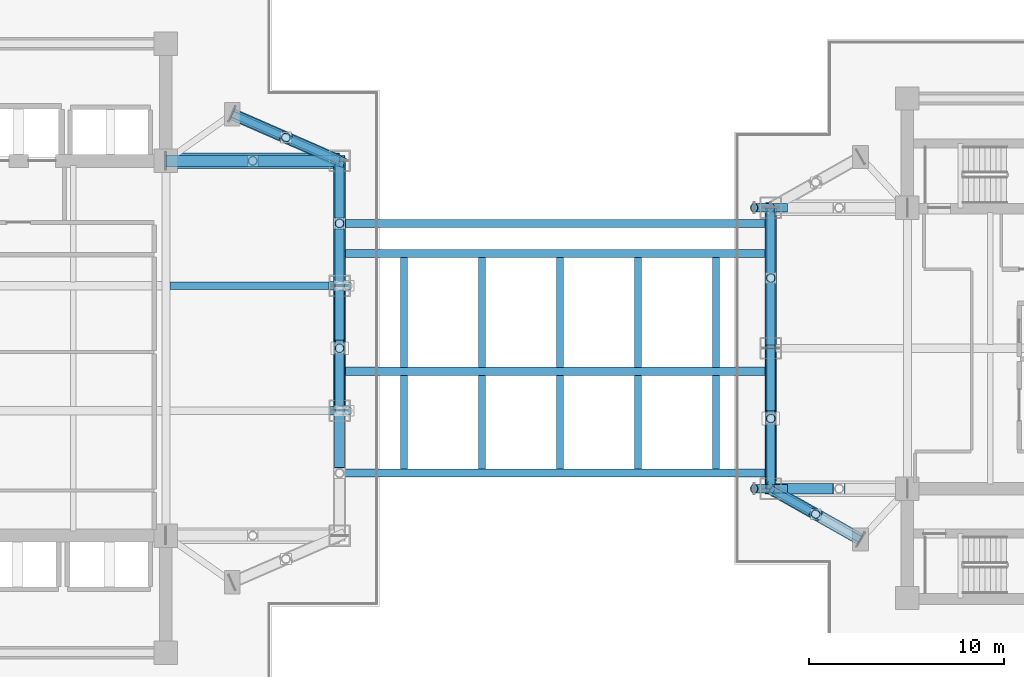
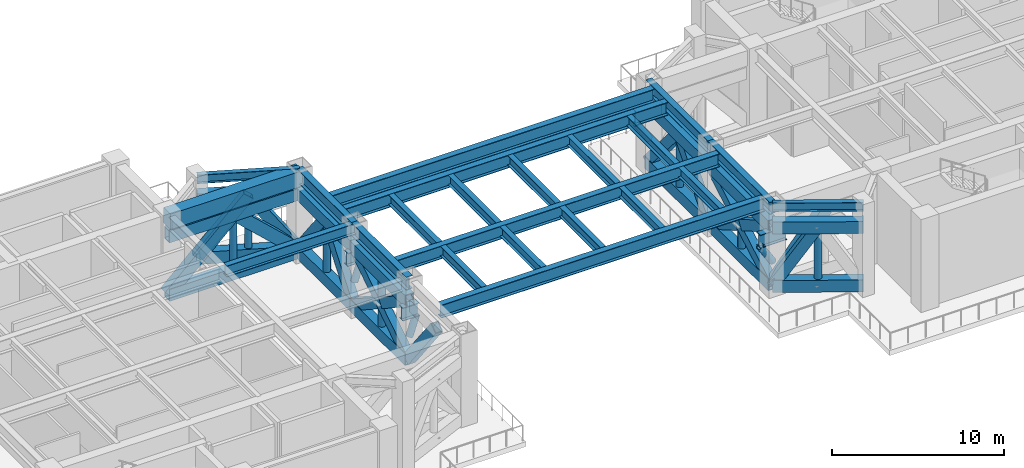
# One storey, part 3 of 21: 42 members, 26 beams.
"""IFC4 building model written with IfcOpenShell, lengths in metres."""

from ifc_helpers import new_model, si_unit, direction, frame, origin, origin_2d, place, context, subcontext, project, spatial, rectangle, hollow_rectangle, hollow_circle, i_section, extrude, material, material_profile, profile_set, type_object, element, save


model = new_model("IFC4")

# Units and contexts
model_context = context("Model", 3, precision=1e-05, world=origin(), true_north=direction((0.0, 1.0)))
body_context = subcontext(model_context, "Body", "Model", "MODEL_VIEW")
ifc_project = project(units=[si_unit("LENGTHUNIT", "METRE"), si_unit("AREAUNIT", "SQUARE_METRE"), si_unit("VOLUMEUNIT", "CUBIC_METRE"), si_unit("PLANEANGLEUNIT", "RADIAN"), si_unit("MASSUNIT", "GRAM", prefix="KILO")], contexts=[model_context])

# Site, building, storey
site_placement = place(None, origin())
site = spatial("IfcSite", under=ifc_project, at=site_placement, CompositionType="ELEMENT")
building_placement = place(site_placement, origin())
building = spatial("IfcBuilding", under=site, at=building_placement, Name="Mirazonda Arch Towers", CompositionType="ELEMENT")
storey_placement = place(building_placement, frame((0.0, 0.0, 81.800048828125)))
storey = spatial("IfcBuildingStorey", under=building, at=storey_placement, Name="L23", CompositionType="ELEMENT", Elevation=81.800048828125)

# Beams
ifc_material_1 = material(Name="Steel ASTM A992 Grade 50", Category="steel")
ifc_material_profile_1 = material_profile(ifc_material_1, i_section(OverallWidth=0.39990234375, OverallDepth=0.85595703125, WebThickness=0.018310546875, FlangeThickness=0.029296875, at=origin_2d()), Name="W33X201")
ifc_profile_set_1 = profile_set([ifc_material_profile_1], Name="Steel ASTM A992 Grade 50")
beam_type_1 = type_object("IfcBeamType", Name="BM-EXT-W33X201", PredefinedType="USERDEFINED", material=ifc_profile_set_1)
for number, where, z_axis, x_axis, name in (
    (1, (61.0, 20.800048828125, 5.951904296875), (0.0, 1.0, 0.0), (-1.0, 0.0, 0.0), "L23 Floor Beam BM-T2-L23-NS-W-20"),
    (2, (61.0, 28.0, 5.951904296875), (0.0, 1.0, 0.0), (-1.0, 0.0, 0.0), "L23 Floor Beam BM-T2-L23-NS-W-28"),
):
    element("IfcBeam", number, at=place(storey_placement, frame(where, z_axis=z_axis, x_axis=x_axis)), inside=storey, type_object=beam_type_1, Name=name, ObjectType="GIRDER", PredefinedType="USERDEFINED", context=body_context, shape_type="SweptSolid", body=[
        extrude(i_section(OverallWidth=0.39990234375, OverallDepth=0.85595703125, WebThickness=0.018310546875, FlangeThickness=0.029296875, at=origin_2d()), origin(), (0.0, 0.0, 1.0), 7.199951171875),
    ])
ifc_material_profile_2 = material_profile(ifc_material_1, i_section(OverallWidth=0.41796875, OverallDepth=0.927001953125, WebThickness=0.019287109375, FlangeThickness=0.031982421875, at=origin_2d()), Name="W36X231")
ifc_profile_set_2 = profile_set([ifc_material_profile_2], Name="Steel ASTM A992 Grade 50")
beam_type_2 = type_object("IfcBeamType", Name="BM-EXT-W36X231", PredefinedType="USERDEFINED", material=ifc_profile_set_2)
beam_1_placement = place(storey_placement, frame((38.89990234375, 24.800048828125, 5.91650390625), z_axis=(0.0, 1.0, 0.0), x_axis=(-1.0, 0.0, 0.0)))
element("IfcBeam", 3, at=beam_1_placement, inside=storey, type_object=beam_type_2, Name="L23 Floor Beam BM-T1-L23-NS-E-24", ObjectType="GIRDER", PredefinedType="USERDEFINED", context=body_context, shape_type="SweptSolid", body=[
    extrude(i_section(OverallWidth=0.41796875, OverallDepth=0.927001953125, WebThickness=0.019287109375, FlangeThickness=0.031982421875, at=origin_2d()), origin(), (0.0, 0.0, 1.0), 6.39990234375),
])
beam_2_placement = place(storey_placement, frame((38.89990234375, 31.199951171875, 5.91650390625), z_axis=(0.0, 1.0, 0.0), x_axis=(-1.0, 0.0, 0.0)))
element("IfcBeam", 4, at=beam_2_placement, inside=storey, type_object=beam_type_2, Name="L23 Floor Beam BM-T1-L23-NS-E-31", ObjectType="GIRDER", PredefinedType="USERDEFINED", context=body_context, shape_type="SweptSolid", body=[
    extrude(i_section(OverallWidth=0.41796875, OverallDepth=0.927001953125, WebThickness=0.019287109375, FlangeThickness=0.031982421875, at=origin_2d()), origin(), (0.0, 0.0, 1.0), 6.400146484375),
])
for number, where, z_axis, x_axis, name in (
    (5, (39.10400390625, 21.60009765625, 5.8564453125), (1.0, 0.0, 0.0), (0.0, 1.0, 0.0), "L24 Skybridge S Longitudinal Box Girder"),
    (6, (39.10400390625, 34.39990234375, 5.8564453125), (1.0, 0.0, 0.0), (0.0, 1.0, 0.0), "L24 Skybridge N Longitudinal Box Girder"),
):
    element("IfcBeam", number, at=place(storey_placement, frame(where, z_axis=z_axis, x_axis=x_axis)), inside=storey, type_object=beam_type_2, Name=name, ObjectType="GIRDER", PredefinedType="USERDEFINED", context=body_context, shape_type="SweptSolid", body=[
        extrude(i_section(OverallWidth=0.41796875, OverallDepth=0.927001953125, WebThickness=0.019287109375, FlangeThickness=0.031982421875, at=origin_2d()), origin(), (0.0, 0.0, 1.0), 21.69189453125),
    ])
ifc_material_profile_3 = material_profile(ifc_material_1, i_section(OverallWidth=0.423095703125, OverallDepth=0.947998046875, WebThickness=0.02392578125, FlangeThickness=0.042724609375, at=origin_2d()), Name="W36X302")
ifc_profile_set_3 = profile_set([ifc_material_profile_3], Name="Steel ASTM A992 Grade 50")
beam_type_3 = type_object("IfcBeamType", Name="BM-EXT-W36X302", PredefinedType="USERDEFINED", material=ifc_profile_set_3)
for number, where, z_axis, x_axis, name in (
    (7, (38.35009765625, 24.800048828125, 3.968994140625), (1.0, 0.0, 0.0), (0.0, 1.0, 0.0), "SB1 Skybridge Corbel Bearing Seat 1 (1100 mm)"),
    (8, (38.35009765625, 31.199951171875, 3.968994140625), (1.0, 0.0, 0.0), (0.0, 1.0, 0.0), "SB1 Skybridge Corbel Bearing Seat 2 (1100 mm)"),
):
    element("IfcBeam", number, at=place(storey_placement, frame(where, z_axis=z_axis, x_axis=x_axis)), inside=storey, type_object=beam_type_3, Name=name, ObjectType="GIRDER", PredefinedType="USERDEFINED", context=body_context, shape_type="SweptSolid", body=[
        extrude(i_section(OverallWidth=0.423095703125, OverallDepth=0.947998046875, WebThickness=0.02392578125, FlangeThickness=0.042724609375, at=origin_2d()), origin(), (0.0, 0.0, 1.0), 1.099853515625),
    ])
for number, where, z_axis, x_axis, name in (
    (9, (60.050048828125, 20.800048828125, 3.968994140625), (1.0, 0.0, 0.0), (0.0, 1.0, 0.0), "SB2 Skybridge Corbel Bearing Seat 3 (1800 mm)"),
    (10, (60.050048828125, 35.199951171875, 3.968994140625), (1.0, 0.0, 0.0), (0.0, 1.0, 0.0), "SB2 Skybridge Corbel Bearing Seat 4 (1800 mm)"),
):
    element("IfcBeam", number, at=place(storey_placement, frame(where, z_axis=z_axis, x_axis=x_axis)), inside=storey, type_object=beam_type_3, Name=name, ObjectType="GIRDER", PredefinedType="USERDEFINED", context=body_context, shape_type="SweptSolid", body=[
        extrude(i_section(OverallWidth=0.423095703125, OverallDepth=0.947998046875, WebThickness=0.02392578125, FlangeThickness=0.042724609375, at=origin_2d()), origin(), (0.0, 0.0, 1.0), 1.800048828125),
    ])
ifc_material_profile_4 = material_profile(ifc_material_1, i_section(OverallWidth=0.324951171875, OverallDepth=0.615966796875, WebThickness=0.013916015625, FlangeThickness=0.021484375, at=origin_2d()), Name="W24X117")
ifc_profile_set_4 = profile_set([ifc_material_profile_4], Name="Steel ASTM A992 Grade 50")
beam_type_4 = type_object("IfcBeamType", Name="BM-INT-W24X117", PredefinedType="BEAM", material=ifc_profile_set_4)
beam_3_placement = place(storey_placement, frame((33.39990234375, 40.0, 6.072021484375), z_axis=(0.916545343703, -0.399930785183, 0.0), x_axis=(0.399930785183, 0.916545343703, 0.0)))
element("IfcBeam", 11, at=beam_3_placement, inside=storey, type_object=beam_type_4, Name="L23 Floor Beam BM-T1-L23-PL-NE2", PredefinedType="BEAM", context=body_context, shape_type="SweptSolid", body=[
    extrude(i_section(OverallWidth=0.324951171875, OverallDepth=0.615966796875, WebThickness=0.013916015625, FlangeThickness=0.021484375, at=origin_2d()), origin(), (0.0, 0.0, 1.0), 6.000732421875),
])
beam_4_placement = place(storey_placement, frame((65.60009765625, 18.199951171875, 6.072021484375), z_axis=(-0.870559396632, 0.492063346467, 0.0), x_axis=(-0.492063346467, -0.870559396632, 0.0)))
element("IfcBeam", 12, at=beam_4_placement, inside=storey, type_object=beam_type_4, Name="L23 Floor Beam BM-T2-L23-PL-SW2", PredefinedType="BEAM", context=body_context, shape_type="SweptSolid", body=[
    extrude(i_section(OverallWidth=0.324951171875, OverallDepth=0.615966796875, WebThickness=0.013916015625, FlangeThickness=0.021484375, at=origin_2d()), origin(), (0.0, 0.0, 1.0), 5.2841796875),
])
ifc_material_profile_5 = material_profile(ifc_material_1, i_section(OverallWidth=0.35498046875, OverallDepth=0.696044921875, WebThickness=0.015380859375, FlangeThickness=0.02490234375, at=origin_2d()), Name="W27X146")
ifc_profile_set_5 = profile_set([ifc_material_profile_5], Name="Steel ASTM A992 Grade 50")
beam_type_5 = type_object("IfcBeamType", Name="BM-INT-W27X146", PredefinedType="BEAM", material=ifc_profile_set_5)
beam_5_placement = place(storey_placement, frame((42.199951171875, 21.803955078125, 5.971923828125), z_axis=(0.0, 1.0, 0.0), x_axis=(-1.0, 0.0, 0.0)))
element("IfcBeam", 13, at=beam_5_placement, inside=storey, type_object=beam_type_5, Name="L23 Floor Beam BM-BRG-L24-XG1A", PredefinedType="BEAM", context=body_context, shape_type="SweptSolid", body=[
    extrude(i_section(OverallWidth=0.35498046875, OverallDepth=0.696044921875, WebThickness=0.015380859375, FlangeThickness=0.02490234375, at=origin_2d()), origin(), (0.0, 0.0, 1.0), 4.81201171875),
])
beam_6_placement = place(storey_placement, frame((42.199951171875, 27.02392578125, 5.971923828125), z_axis=(0.0, 1.0, 0.0), x_axis=(-1.0, 0.0, 0.0)))
element("IfcBeam", 14, at=beam_6_placement, inside=storey, type_object=beam_type_5, Name="L23 Floor Beam BM-BRG-L24-XG1B", PredefinedType="BEAM", context=body_context, shape_type="SweptSolid", body=[
    extrude(i_section(OverallWidth=0.35498046875, OverallDepth=0.696044921875, WebThickness=0.015380859375, FlangeThickness=0.02490234375, at=origin_2d()), origin(), (0.0, 0.0, 1.0), 5.6220703125),
])
beam_7_placement = place(storey_placement, frame((46.199951171875, 21.803955078125, 5.971923828125), z_axis=(0.0, 1.0, 0.0), x_axis=(-1.0, 0.0, 0.0)))
element("IfcBeam", 15, at=beam_7_placement, inside=storey, type_object=beam_type_5, Name="L23 Floor Beam BM-BRG-L24-XG2A", PredefinedType="BEAM", context=body_context, shape_type="SweptSolid", body=[
    extrude(i_section(OverallWidth=0.35498046875, OverallDepth=0.696044921875, WebThickness=0.015380859375, FlangeThickness=0.02490234375, at=origin_2d()), origin(), (0.0, 0.0, 1.0), 4.81201171875),
])
beam_8_placement = place(storey_placement, frame((46.199951171875, 27.02392578125, 5.971923828125), z_axis=(0.0, 1.0, 0.0), x_axis=(-1.0, 0.0, 0.0)))
element("IfcBeam", 16, at=beam_8_placement, inside=storey, type_object=beam_type_5, Name="L23 Floor Beam BM-BRG-L24-XG2B", PredefinedType="BEAM", context=body_context, shape_type="SweptSolid", body=[
    extrude(i_section(OverallWidth=0.35498046875, OverallDepth=0.696044921875, WebThickness=0.015380859375, FlangeThickness=0.02490234375, at=origin_2d()), origin(), (0.0, 0.0, 1.0), 5.6220703125),
])
beam_9_placement = place(storey_placement, frame((50.199951171875, 21.803955078125, 5.971923828125), z_axis=(0.0, 1.0, 0.0), x_axis=(-1.0, 0.0, 0.0)))
element("IfcBeam", 17, at=beam_9_placement, inside=storey, type_object=beam_type_5, Name="L23 Floor Beam BM-BRG-L24-XG3A", PredefinedType="BEAM", context=body_context, shape_type="SweptSolid", body=[
    extrude(i_section(OverallWidth=0.35498046875, OverallDepth=0.696044921875, WebThickness=0.015380859375, FlangeThickness=0.02490234375, at=origin_2d()), origin(), (0.0, 0.0, 1.0), 4.81201171875),
])
beam_10_placement = place(storey_placement, frame((50.199951171875, 27.02392578125, 5.971923828125), z_axis=(0.0, 1.0, 0.0), x_axis=(-1.0, 0.0, 0.0)))
element("IfcBeam", 18, at=beam_10_placement, inside=storey, type_object=beam_type_5, Name="L23 Floor Beam BM-BRG-L24-XG3B", PredefinedType="BEAM", context=body_context, shape_type="SweptSolid", body=[
    extrude(i_section(OverallWidth=0.35498046875, OverallDepth=0.696044921875, WebThickness=0.015380859375, FlangeThickness=0.02490234375, at=origin_2d()), origin(), (0.0, 0.0, 1.0), 5.6220703125),
])
beam_11_placement = place(storey_placement, frame((54.199951171875, 21.803955078125, 5.971923828125), z_axis=(0.0, 1.0, 0.0), x_axis=(-1.0, 0.0, 0.0)))
element("IfcBeam", 19, at=beam_11_placement, inside=storey, type_object=beam_type_5, Name="L23 Floor Beam BM-BRG-L24-XG4A", PredefinedType="BEAM", context=body_context, shape_type="SweptSolid", body=[
    extrude(i_section(OverallWidth=0.35498046875, OverallDepth=0.696044921875, WebThickness=0.015380859375, FlangeThickness=0.02490234375, at=origin_2d()), origin(), (0.0, 0.0, 1.0), 4.81201171875),
])
beam_12_placement = place(storey_placement, frame((54.199951171875, 27.02392578125, 5.971923828125), z_axis=(0.0, 1.0, 0.0), x_axis=(-1.0, 0.0, 0.0)))
element("IfcBeam", 20, at=beam_12_placement, inside=storey, type_object=beam_type_5, Name="L23 Floor Beam BM-BRG-L24-XG4B", PredefinedType="BEAM", context=body_context, shape_type="SweptSolid", body=[
    extrude(i_section(OverallWidth=0.35498046875, OverallDepth=0.696044921875, WebThickness=0.015380859375, FlangeThickness=0.02490234375, at=origin_2d()), origin(), (0.0, 0.0, 1.0), 5.6220703125),
])
beam_13_placement = place(storey_placement, frame((58.199951171875, 21.803955078125, 5.971923828125), z_axis=(0.0, 1.0, 0.0), x_axis=(-1.0, 0.0, 0.0)))
element("IfcBeam", 21, at=beam_13_placement, inside=storey, type_object=beam_type_5, Name="L23 Floor Beam BM-BRG-L24-XG5A", PredefinedType="BEAM", context=body_context, shape_type="SweptSolid", body=[
    extrude(i_section(OverallWidth=0.35498046875, OverallDepth=0.696044921875, WebThickness=0.015380859375, FlangeThickness=0.02490234375, at=origin_2d()), origin(), (0.0, 0.0, 1.0), 4.81201171875),
])
beam_14_placement = place(storey_placement, frame((58.199951171875, 27.02392578125, 5.971923828125), z_axis=(0.0, 1.0, 0.0), x_axis=(-1.0, 0.0, 0.0)))
element("IfcBeam", 22, at=beam_14_placement, inside=storey, type_object=beam_type_5, Name="L23 Floor Beam BM-BRG-L24-XG5B", PredefinedType="BEAM", context=body_context, shape_type="SweptSolid", body=[
    extrude(i_section(OverallWidth=0.35498046875, OverallDepth=0.696044921875, WebThickness=0.015380859375, FlangeThickness=0.02490234375, at=origin_2d()), origin(), (0.0, 0.0, 1.0), 5.6220703125),
])
ifc_material_profile_6 = material_profile(ifc_material_1, i_section(OverallWidth=0.381103515625, OverallDepth=0.77294921875, WebThickness=0.0166015625, FlangeThickness=0.027099609375, at=origin_2d()), Name="W30X173")
ifc_profile_set_6 = profile_set([ifc_material_profile_6], Name="Steel ASTM A992 Grade 50")
beam_type_6 = type_object("IfcBeamType", Name="BM-INT-W30X173", PredefinedType="USERDEFINED", material=ifc_profile_set_6)
beam_15_placement = place(storey_placement, frame((30.21142578125, 31.199951171875, 5.993408203125), z_axis=(1.0, 0.0, 0.0), x_axis=(0.0, 1.0, 0.0)))
element("IfcBeam", 23, at=beam_15_placement, inside=storey, type_object=beam_type_6, Name="L23 Floor Beam BM-T1-L23-GE3", ObjectType="GIRDER", PredefinedType="USERDEFINED", context=body_context, shape_type="SweptSolid", body=[
    extrude(i_section(OverallWidth=0.381103515625, OverallDepth=0.77294921875, WebThickness=0.0166015625, FlangeThickness=0.027099609375, at=origin_2d()), origin(), (0.0, 0.0, 1.0), 8.6884765625),
])
ifc_material_profile_7 = material_profile(ifc_material_1, i_section(OverallWidth=0.41796875, OverallDepth=0.927001953125, WebThickness=0.019287109375, FlangeThickness=0.031982421875, at=origin_2d()), Name="W36X231")
ifc_profile_set_7 = profile_set([ifc_material_profile_7], Name="Steel ASTM A992 Grade 50")
beam_type_7 = type_object("IfcBeamType", Name="BM-INT-W36X231", PredefinedType="USERDEFINED", material=ifc_profile_set_7)
for number, where, z_axis, x_axis, name in (
    (24, (39.10400390625, 26.820068359375, 5.8564453125), (1.0, 0.0, 0.0), (0.0, 1.0, 0.0), "L24 Skybridge IS Interior Truss Girder"),
    (25, (39.10400390625, 32.85009765625, 5.8564453125), (1.0, 0.0, 0.0), (0.0, 1.0, 0.0), "L24 Skybridge IN Interior Truss Girder"),
):
    element("IfcBeam", number, at=place(storey_placement, frame(where, z_axis=z_axis, x_axis=x_axis)), inside=storey, type_object=beam_type_7, Name=name, ObjectType="GIRDER", PredefinedType="USERDEFINED", context=body_context, shape_type="SweptSolid", body=[
        extrude(i_section(OverallWidth=0.41796875, OverallDepth=0.927001953125, WebThickness=0.019287109375, FlangeThickness=0.031982421875, at=origin_2d()), origin(), (0.0, 0.0, 1.0), 21.69189453125),
    ])
ifc_material_2 = material(Name="Concrete C60/75", Category="concrete")
ifc_material_profile_8 = material_profile(ifc_material_2, rectangle(XDim=0.800048828125, YDim=1.10009765625, at=origin_2d()), Name="RCCB800x1100")
ifc_profile_set_8 = profile_set([ifc_material_profile_8], Name="Concrete C60/75")
beam_type_8 = type_object("IfcBeamType", Name="CB-INT-RCCB800x1100", PredefinedType="SPANDREL", material=ifc_profile_set_8)
beam_16_placement = place(storey_placement, frame((30.0, 37.60009765625, 5.829833984375), z_axis=(1.0, 0.0, 0.0), x_axis=(0.0, 1.0, 0.0)))
element("IfcBeam", 26, at=beam_16_placement, inside=storey, type_object=beam_type_8, Name="L23 Floor Beam CB-T1-L23-NE", PredefinedType="SPANDREL", context=body_context, shape_type="SweptSolid", body=[
    extrude(rectangle(XDim=0.800048828125, YDim=1.10009765625, at=origin_2d()), origin(), (0.0, 0.0, 1.0), 8.89990234375),
])

# Members
ifc_material_3 = material(Name="Steel ASTM A572 Grade 50", Category="steel")
ifc_material_profile_9 = material_profile(ifc_material_3, hollow_rectangle(XDim=0.60009765625, YDim=0.85009765625, WallThickness=0.048095703125, at=origin_2d()), Name="BELTCHORD850x600x48")
ifc_profile_set_9 = profile_set([ifc_material_profile_9], Name="Steel ASTM A572 Grade 50")
member_type_1 = type_object("IfcMemberType", Name="MBR-EXT-BELTCHORD850x600x48", PredefinedType="CHORD", material=ifc_profile_set_9)
for number, where, z_axis, x_axis, name in (
    (27, (38.89990234375, 24.800048828125, 0.550048828125), (0.0, 1.0, 0.0), (-1.0, 0.0, 0.0), "L23 T1 Wind-Portal Belt Chord BC05"),
    (28, (38.89990234375, 24.800048828125, 4.699951171875), (0.0, 1.0, 0.0), (-1.0, 0.0, 0.0), "L23 T1 Wind-Portal Belt Chord TC05"),
):
    element("IfcMember", number, at=place(storey_placement, frame(where, z_axis=z_axis, x_axis=x_axis)), inside=storey, type_object=member_type_1, Name=name, PredefinedType="CHORD", context=body_context, shape_type="SweptSolid", body=[
        extrude(hollow_rectangle(XDim=0.60009765625, YDim=0.85009765625, WallThickness=0.048095703125, at=origin_2d()), origin(), (0.0, 0.0, 1.0), 6.39990234375),
    ])
for number, where, z_axis, x_axis, name in (
    (29, (38.89990234375, 31.199951171875, 0.550048828125), (0.0, 1.0, 0.0), (-1.0, 0.0, 0.0), "L23 T1 Wind-Portal Belt Chord BC06"),
    (30, (38.89990234375, 31.199951171875, 4.699951171875), (0.0, 1.0, 0.0), (-1.0, 0.0, 0.0), "L23 T1 Wind-Portal Belt Chord TC06"),
):
    element("IfcMember", number, at=place(storey_placement, frame(where, z_axis=z_axis, x_axis=x_axis)), inside=storey, type_object=member_type_1, Name=name, PredefinedType="CHORD", context=body_context, shape_type="SweptSolid", body=[
        extrude(hollow_rectangle(XDim=0.60009765625, YDim=0.85009765625, WallThickness=0.048095703125, at=origin_2d()), origin(), (0.0, 0.0, 1.0), 6.400146484375),
    ])
for number, where, z_axis, x_axis, name in (
    (31, (33.39990234375, 40.0, 0.550048828125), (0.916545343703, -0.399930785183, 0.0), (0.399930785183, 0.916545343703, 0.0), "L23 T1 Wind-Portal Belt Chord BC10"),
    (32, (33.39990234375, 40.0, 4.699951171875), (0.916545343703, -0.399930785183, 0.0), (0.399930785183, 0.916545343703, 0.0), "L23 T1 Wind-Portal Belt Chord TC10"),
):
    element("IfcMember", number, at=place(storey_placement, frame(where, z_axis=z_axis, x_axis=x_axis)), inside=storey, type_object=member_type_1, Name=name, PredefinedType="CHORD", context=body_context, shape_type="SweptSolid", body=[
        extrude(hollow_rectangle(XDim=0.60009765625, YDim=0.85009765625, WallThickness=0.048095703125, at=origin_2d()), origin(), (0.0, 0.0, 1.0), 6.000732421875),
    ])
for number, where, z_axis, x_axis, name in (
    (33, (61.0, 20.800048828125, 0.550048828125), (0.0, 1.0, 0.0), (-1.0, 0.0, 0.0), "L23 T2 Wind-Portal Belt Chord BC01"),
    (34, (61.0, 20.800048828125, 4.699951171875), (0.0, 1.0, 0.0), (-1.0, 0.0, 0.0), "L23 T2 Wind-Portal Belt Chord TC01"),
    (35, (61.0, 28.0, 0.550048828125), (0.0, 1.0, 0.0), (-1.0, 0.0, 0.0), "L23 T2 Wind-Portal Belt Chord BC02"),
    (36, (61.0, 28.0, 4.699951171875), (0.0, 1.0, 0.0), (-1.0, 0.0, 0.0), "L23 T2 Wind-Portal Belt Chord TC02"),
):
    element("IfcMember", number, at=place(storey_placement, frame(where, z_axis=z_axis, x_axis=x_axis)), inside=storey, type_object=member_type_1, Name=name, PredefinedType="CHORD", context=body_context, shape_type="SweptSolid", body=[
        extrude(hollow_rectangle(XDim=0.60009765625, YDim=0.85009765625, WallThickness=0.048095703125, at=origin_2d()), origin(), (0.0, 0.0, 1.0), 7.199951171875),
    ])
for number, where, z_axis, x_axis, name in (
    (37, (61.0, 20.800048828125, 0.550048828125), (0.870559396632, -0.492063346467, 0.0), (0.492063346467, 0.870559396632, 0.0), "L23 T2 Wind-Portal Belt Chord BC05"),
    (38, (61.0, 20.800048828125, 4.699951171875), (0.870559396632, -0.492063346467, 0.0), (0.492063346467, 0.870559396632, 0.0), "L23 T2 Wind-Portal Belt Chord TC05"),
):
    element("IfcMember", number, at=place(storey_placement, frame(where, z_axis=z_axis, x_axis=x_axis)), inside=storey, type_object=member_type_1, Name=name, PredefinedType="CHORD", context=body_context, shape_type="SweptSolid", body=[
        extrude(hollow_rectangle(XDim=0.60009765625, YDim=0.85009765625, WallThickness=0.048095703125, at=origin_2d()), origin(), (0.0, 0.0, 1.0), 5.2841796875),
    ])
ifc_material_profile_10 = material_profile(ifc_material_3, hollow_rectangle(XDim=0.5, YDim=0.699951171875, WallThickness=0.0400390625, at=origin_2d()), Name="BELTDIAG700x500x40")
ifc_profile_set_10 = profile_set([ifc_material_profile_10], Name="Steel ASTM A572 Grade 50")
member_type_2 = type_object("IfcMemberType", Name="MBR-EXT-BELTDIAG700x500x40", PredefinedType="BRACE", material=ifc_profile_set_10)
member_1_placement = place(storey_placement, frame((38.89990234375, 24.800048828125, 0.550048828125), z_axis=(0.0, -0.610635707615, 0.791911631803), x_axis=(1.0, 0.0, 0.0)))
element("IfcMember", 39, at=member_1_placement, inside=storey, type_object=member_type_2, Name="L23 T1 Wind-Portal Belt Diagonal 04B", PredefinedType="BRACE", context=body_context, shape_type="SweptSolid", body=[
    extrude(hollow_rectangle(XDim=0.5, YDim=0.699951171875, WallThickness=0.0400390625, at=origin_2d()), origin(), (0.0, 0.0, 1.0), 5.240478515625),
])
member_2_placement = place(storey_placement, frame((38.89990234375, 24.800048828125, 0.550048828125), z_axis=(0.0, 0.839044216988, 0.544063233401), x_axis=(-1.0, 0.0, 0.0)))
element("IfcMember", 40, at=member_2_placement, inside=storey, type_object=member_type_2, Name="L23 T1 Continuous X-Brace Diagonal 05", PredefinedType="BRACE", context=body_context, shape_type="SweptSolid", body=[
    extrude(hollow_rectangle(XDim=0.5, YDim=0.699951171875, WallThickness=0.0400390625, at=origin_2d()), origin(), (0.0, 0.0, 1.0), 7.627685546875),
])
for number, where, z_axis, x_axis, name in (
    (41, (38.89990234375, 31.199951171875, 0.550048828125), (0.0, -0.839050785701, 0.54405310312), (1.0, 0.0, 0.0), "L23 T1 Split X-Brace Lower Segment 05"),
    (42, (38.89990234375, 27.76513671875, 2.77734375), (0.0, -0.839050785701, 0.54405310312), (1.0, 0.0, 0.0), "L23 T1 Split X-Brace Upper Segment 05"),
):
    element("IfcMember", number, at=place(storey_placement, frame(where, z_axis=z_axis, x_axis=x_axis)), inside=storey, type_object=member_type_2, Name=name, PredefinedType="BRACE", context=body_context, shape_type="SweptSolid", body=[
        extrude(hollow_rectangle(XDim=0.5, YDim=0.699951171875, WallThickness=0.0400390625, at=origin_2d()), origin(), (0.0, 0.0, 1.0), 3.533935546875),
    ])
for number, where, z_axis, x_axis, name in (
    (43, (38.89990234375, 31.199951171875, 0.550048828125), (0.0, 0.610635707615, 0.791911631803), (-1.0, 0.0, 0.0), "L23 T1 Wind-Portal Belt Diagonal 06A"),
    (44, (38.89990234375, 37.60009765625, 0.550048828125), (0.0, -0.610664923148, 0.791889103118), (1.0, 0.0, 0.0), "L23 T1 Wind-Portal Belt Diagonal 06B"),
):
    element("IfcMember", number, at=place(storey_placement, frame(where, z_axis=z_axis, x_axis=x_axis)), inside=storey, type_object=member_type_2, Name=name, PredefinedType="BRACE", context=body_context, shape_type="SweptSolid", body=[
        extrude(hollow_rectangle(XDim=0.5, YDim=0.699951171875, WallThickness=0.0400390625, at=origin_2d()), origin(), (0.0, 0.0, 1.0), 5.240478515625),
    ])
for number, where, z_axis, x_axis, name in (
    (45, (33.39990234375, 40.0, 0.550048828125), (0.537010314297, -0.234322238527, 0.810378313425), (0.399930785183, 0.916545343703, 0.0), "L23 T1 Wind-Portal Belt Diagonal 10A"),
    (46, (38.89990234375, 37.60009765625, 0.550048828125), (-0.537010314297, 0.234322238527, 0.810378313425), (-0.399930785183, -0.916545343703, 0.0), "L23 T1 Wind-Portal Belt Diagonal 10B"),
):
    element("IfcMember", number, at=place(storey_placement, frame(where, z_axis=z_axis, x_axis=x_axis)), inside=storey, type_object=member_type_2, Name=name, PredefinedType="BRACE", context=body_context, shape_type="SweptSolid", body=[
        extrude(hollow_rectangle(XDim=0.5, YDim=0.699951171875, WallThickness=0.0400390625, at=origin_2d()), origin(), (0.0, 0.0, 1.0), 5.120849609375),
    ])
member_3_placement = place(storey_placement, frame((61.0, 20.800048828125, 0.550048828125), z_axis=(0.0, 0.866389465072, 0.499368896521), x_axis=(-1.0, 0.0, 0.0)))
element("IfcMember", 47, at=member_3_placement, inside=storey, type_object=member_type_2, Name="L23 T2 Continuous X-Brace Diagonal 01", PredefinedType="BRACE", context=body_context, shape_type="SweptSolid", body=[
    extrude(hollow_rectangle(XDim=0.5, YDim=0.699951171875, WallThickness=0.0400390625, at=origin_2d()), origin(), (0.0, 0.0, 1.0), 8.310302734375),
])
for number, where, z_axis, x_axis, name in (
    (48, (61.0, 28.0, 0.550048828125), (0.0, -0.86639947471, 0.499351529709), (1.0, 0.0, 0.0), "L23 T2 Split X-Brace Lower Segment 01"),
    (49, (61.0, 24.157470703125, 2.7646484375), (0.0, -0.86637221735, 0.499398819585), (1.0, 0.0, 0.0), "L23 T2 Split X-Brace Upper Segment 01"),
):
    element("IfcMember", number, at=place(storey_placement, frame(where, z_axis=z_axis, x_axis=x_axis)), inside=storey, type_object=member_type_2, Name=name, PredefinedType="BRACE", context=body_context, shape_type="SweptSolid", body=[
        extrude(hollow_rectangle(XDim=0.5, YDim=0.699951171875, WallThickness=0.0400390625, at=origin_2d()), origin(), (0.0, 0.0, 1.0), 3.875244140625),
    ])
member_4_placement = place(storey_placement, frame((61.0, 28.0, 0.550048828125), z_axis=(0.0, 0.655295898412, 0.755372282735), x_axis=(-1.0, 0.0, 0.0)))
element("IfcMember", 50, at=member_4_placement, inside=storey, type_object=member_type_2, Name="L23 T2 Wind-Portal Belt Diagonal 02A", PredefinedType="BRACE", context=body_context, shape_type="SweptSolid", body=[
    extrude(hollow_rectangle(XDim=0.5, YDim=0.699951171875, WallThickness=0.0400390625, at=origin_2d()), origin(), (0.0, 0.0, 1.0), 5.493896484375),
])
member_5_placement = place(storey_placement, frame((61.0, 35.199951171875, 0.550048828125), z_axis=(0.0, -0.655270541038, 0.755394279862), x_axis=(1.0, 0.0, 0.0)))
element("IfcMember", 51, at=member_5_placement, inside=storey, type_object=member_type_2, Name="L23 T2 Wind-Portal Belt Diagonal 02B", PredefinedType="BRACE", context=body_context, shape_type="SweptSolid", body=[
    extrude(hollow_rectangle(XDim=0.5, YDim=0.699951171875, WallThickness=0.0400390625, at=origin_2d()), origin(), (0.0, 0.0, 1.0), 5.49365234375),
])
member_6_placement = place(storey_placement, frame((61.0, 20.800048828125, 0.550048828125), z_axis=(0.467531696518, -0.26426136121, 0.84355204091), x_axis=(0.492063346467, 0.870559396632, 0.0)))
element("IfcMember", 52, at=member_6_placement, inside=storey, type_object=member_type_2, Name="L23 T2 Wind-Portal Belt Diagonal 05A", PredefinedType="BRACE", context=body_context, shape_type="SweptSolid", body=[
    extrude(hollow_rectangle(XDim=0.5, YDim=0.699951171875, WallThickness=0.0400390625, at=origin_2d()), origin(), (0.0, 0.0, 1.0), 4.919677734375),
])
ifc_material_profile_11 = material_profile(ifc_material_3, hollow_circle(Radius=0.228515625, WallThickness=0.02197265625, at=origin_2d()), Name="BELTSTRUT457x22CHS")
ifc_profile_set_11 = profile_set([ifc_material_profile_11], Name="Steel ASTM A572 Grade 50")
member_type_3 = type_object("IfcMemberType", Name="MBR-EXT-BELTSTRUT457x22CHS", PredefinedType="STRUT", material=ifc_profile_set_11)
for number, where, z_axis, x_axis, name in (
    (53, (38.89990234375, 28.0, 0.550048828125), (0.0, 0.0, 1.0), (1.0, 0.0, 0.0), "L23 T1 Wind-Portal Belt Strut 05"),
    (54, (38.89990234375, 34.39990234375, 0.550048828125), (0.0, 0.0, 1.0), (1.0, 0.0, 0.0), "L23 T1 Wind-Portal Belt Strut 06"),
    (55, (36.14990234375, 38.800048828125, 0.550048828125), (0.0, 0.0, 1.0), (1.0, 0.0, 0.0), "L23 T1 Wind-Portal Belt Strut 10"),
    (56, (61.0, 24.39990234375, 0.550048828125), (0.0, 0.0, 1.0), (1.0, 0.0, 0.0), "L23 T2 Wind-Portal Belt Strut 01"),
    (57, (61.0, 31.60009765625, 0.550048828125), (0.0, 0.0, 1.0), (1.0, 0.0, 0.0), "L23 T2 Wind-Portal Belt Strut 02"),
    (58, (63.300048828125, 19.5, 0.550048828125), (0.0, 0.0, 1.0), (1.0, 0.0, 0.0), "L23 T2 Wind-Portal Belt Strut 05"),
):
    element("IfcMember", number, at=place(storey_placement, frame(where, z_axis=z_axis, x_axis=x_axis)), inside=storey, type_object=member_type_3, Name=name, PredefinedType="STRUT", context=body_context, shape_type="SweptSolid", body=[
        extrude(hollow_circle(Radius=0.228515625, WallThickness=0.02197265625, at=origin_2d()), origin(), (0.0, 0.0, 1.0), 4.14990234375),
    ])
for number, where, z_axis, x_axis, name in (
    (59, (38.89990234375, 24.800048828125, 2.14501953125), (0.312212231196, 0.0, 0.950012380283), (0.0, 1.0, 0.0), "SB1 Corbel Seat Knee-Brace Strut 1"),
    (60, (38.89990234375, 31.199951171875, 2.14501953125), (0.312212231196, 0.0, 0.950012380283), (0.0, 1.0, 0.0), "SB1 Corbel Seat Knee-Brace Strut 2"),
):
    element("IfcMember", number, at=place(storey_placement, frame(where, z_axis=z_axis, x_axis=x_axis)), inside=storey, type_object=member_type_3, Name=name, PredefinedType="STRUT", context=body_context, shape_type="SweptSolid", body=[
        extrude(hollow_circle(Radius=0.228515625, WallThickness=0.02197265625, at=origin_2d()), origin(), (0.0, 0.0, 1.0), 1.44189453125),
    ])
for number, where, z_axis, x_axis, name in (
    (61, (61.0, 20.800048828125, 2.14501953125), (-0.527287468485, 0.0, 0.849686957401), (0.0, -1.0, 0.0), "SB2 Corbel Seat Knee-Brace Strut 3"),
    (62, (61.0, 35.199951171875, 2.14501953125), (-0.527287468485, 0.0, 0.849686957401), (0.0, -1.0, 0.0), "SB2 Corbel Seat Knee-Brace Strut 4"),
):
    element("IfcMember", number, at=place(storey_placement, frame(where, z_axis=z_axis, x_axis=x_axis)), inside=storey, type_object=member_type_3, Name=name, PredefinedType="STRUT", context=body_context, shape_type="SweptSolid", body=[
        extrude(hollow_circle(Radius=0.228515625, WallThickness=0.02197265625, at=origin_2d()), origin(), (0.0, 0.0, 1.0), 1.6123046875),
    ])
ifc_material_profile_12 = material_profile(ifc_material_3, hollow_rectangle(XDim=0.60009765625, YDim=0.85009765625, WallThickness=0.048095703125, at=origin_2d()), Name="BELTCHORD850x600x48")
ifc_profile_set_12 = profile_set([ifc_material_profile_12], Name="Steel ASTM A572 Grade 50")
member_type_4 = type_object("IfcMemberType", Name="MBR-INT-BELTCHORD850x600x48", PredefinedType="CHORD", material=ifc_profile_set_12)
for number, where, z_axis, x_axis, name in (
    (63, (30.0, 37.60009765625, 0.550048828125), (1.0, 0.0, 0.0), (0.0, 1.0, 0.0), "L23 T1 Core Outrigger Chord BC04"),
    (64, (30.0, 37.60009765625, 4.699951171875), (1.0, 0.0, 0.0), (0.0, 1.0, 0.0), "L23 T1 Core Outrigger Chord TC04"),
):
    element("IfcMember", number, at=place(storey_placement, frame(where, z_axis=z_axis, x_axis=x_axis)), inside=storey, type_object=member_type_4, Name=name, PredefinedType="CHORD", context=body_context, shape_type="SweptSolid", body=[
        extrude(hollow_rectangle(XDim=0.60009765625, YDim=0.85009765625, WallThickness=0.048095703125, at=origin_2d()), origin(), (0.0, 0.0, 1.0), 8.89990234375),
    ])
ifc_material_profile_13 = material_profile(ifc_material_3, hollow_circle(Radius=0.228515625, WallThickness=0.02197265625, at=origin_2d()), Name="BELTSTRUT457x22CHS")
ifc_profile_set_13 = profile_set([ifc_material_profile_13], Name="Steel ASTM A572 Grade 50")
member_type_5 = type_object("IfcMemberType", Name="MBR-INT-BELTSTRUT457x22CHS", PredefinedType="STRUT", material=ifc_profile_set_13)
member_7_placement = place(storey_placement, frame((34.449951171875, 37.60009765625, 0.550048828125), z_axis=(0.0, 0.0, 1.0), x_axis=(1.0, 0.0, 0.0)))
element("IfcMember", 65, at=member_7_placement, inside=storey, type_object=member_type_5, Name="L23 T1 Core Outrigger Strut 04", PredefinedType="STRUT", context=body_context, shape_type="SweptSolid", body=[
    extrude(hollow_circle(Radius=0.228515625, WallThickness=0.02197265625, at=origin_2d()), origin(), (0.0, 0.0, 1.0), 4.14990234375),
])
ifc_material_profile_14 = material_profile(ifc_material_3, hollow_rectangle(XDim=0.550048828125, YDim=0.800048828125, WallThickness=0.044921875, at=origin_2d()), Name="OUTRIGGER800x550x45")
ifc_profile_set_14 = profile_set([ifc_material_profile_14], Name="Steel ASTM A572 Grade 50")
member_type_6 = type_object("IfcMemberType", Name="MBR-INT-OUTRIGGER800x550x45", PredefinedType="BRACE", material=ifc_profile_set_14)
for number, where, z_axis, x_axis, name in (
    (66, (30.0, 37.60009765625, 0.550048828125), (0.731332737233, 0.0, 0.682020840922), (0.0, 1.0, 0.0), "L23 T1 Core Outrigger Diagonal 04A"),
    (67, (38.89990234375, 37.60009765625, 0.550048828125), (-0.731332737233, 0.0, 0.682020840922), (0.0, -1.0, 0.0), "L23 T1 Core Outrigger Diagonal 04B"),
):
    element("IfcMember", number, at=place(storey_placement, frame(where, z_axis=z_axis, x_axis=x_axis)), inside=storey, type_object=member_type_6, Name=name, PredefinedType="BRACE", context=body_context, shape_type="SweptSolid", body=[
        extrude(hollow_rectangle(XDim=0.550048828125, YDim=0.800048828125, WallThickness=0.044921875, at=origin_2d()), origin(), (0.0, 0.0, 1.0), 6.084716796875),
    ])
member_8_placement = place(storey_placement, frame((61.0, 20.800048828125, 0.550048828125), z_axis=(0.644711664983, 0.0, 0.764425842731), x_axis=(0.0, 1.0, 0.0)))
element("IfcMember", 68, at=member_8_placement, inside=storey, type_object=member_type_6, Name="L23 T2 Core Outrigger Diagonal 01A", PredefinedType="BRACE", context=body_context, shape_type="SweptSolid", body=[
    extrude(hollow_rectangle(XDim=0.550048828125, YDim=0.800048828125, WallThickness=0.044921875, at=origin_2d()), origin(), (0.0, 0.0, 1.0), 5.4287109375),
])

save(model, "model.ifc")
